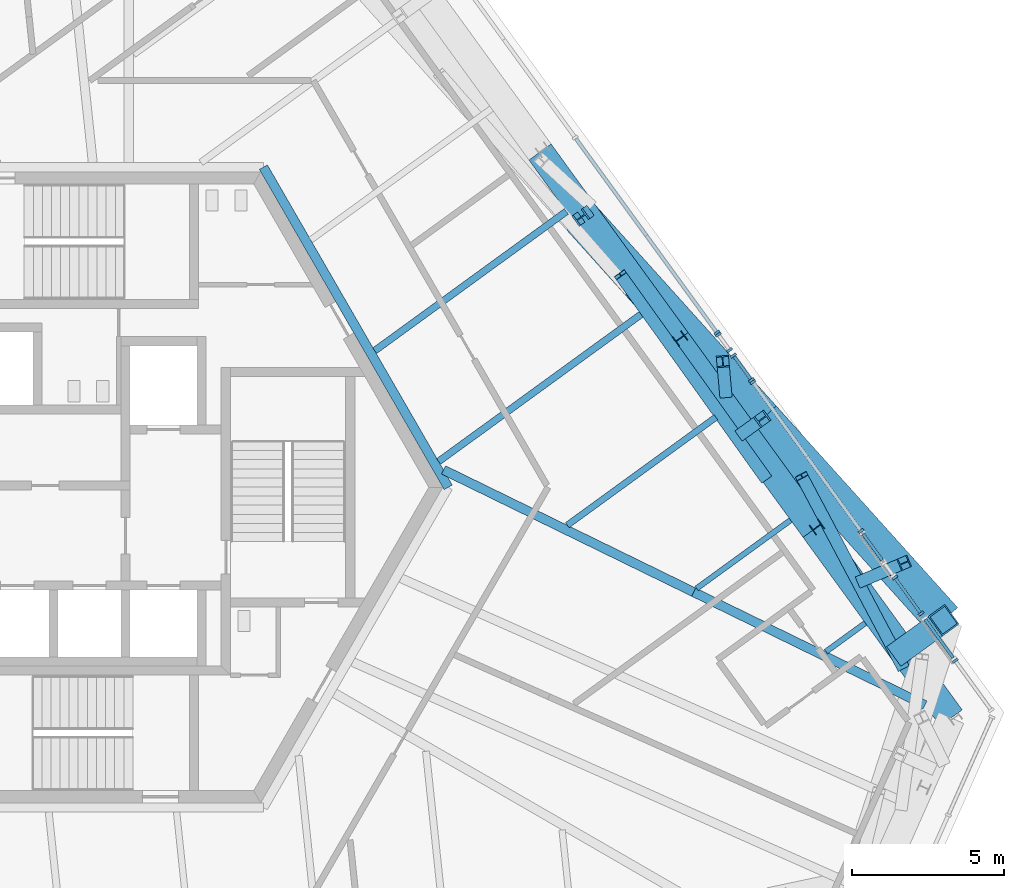
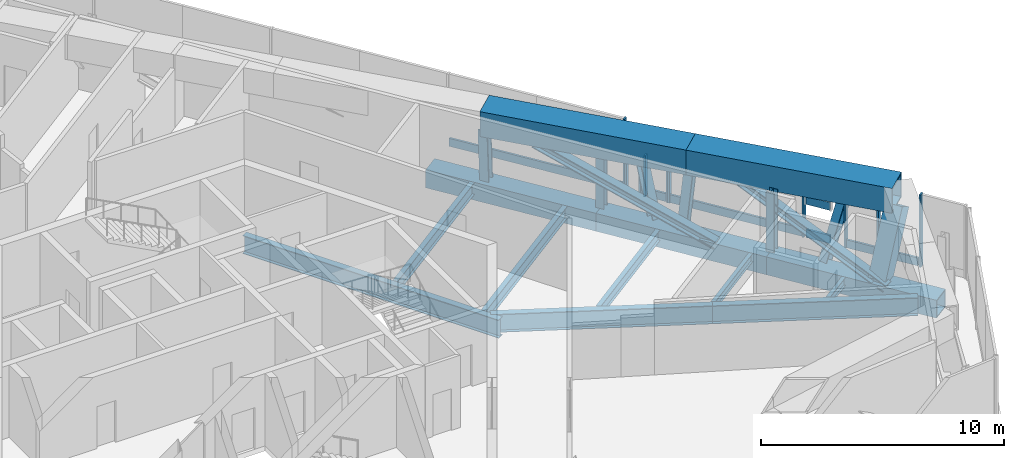
# One storey, part 5 of 23: 31 members, 8 beams, 9 elements without a shape of their own.
"""IFC4 building model written with IfcOpenShell, lengths in metres."""

from ifc_helpers import new_model, si_unit, direction, frame, origin, origin_2d, place, context, subcontext, project, spatial, rectangle, hollow_rectangle, i_section, extrude, source, transform, mapped, material, material_profile, profile_set, type_object, element, aggregate, save


model = new_model("IFC4")

# Units and contexts
model_context = context("Model", 3, precision=1e-05, world=origin(), true_north=direction((0.0, 1.0)))
body_context = subcontext(model_context, "Body", "Model", "MODEL_VIEW")
ifc_project = project(units=[si_unit("LENGTHUNIT", "METRE"), si_unit("AREAUNIT", "SQUARE_METRE"), si_unit("VOLUMEUNIT", "CUBIC_METRE"), si_unit("PLANEANGLEUNIT", "RADIAN"), si_unit("MASSUNIT", "GRAM", prefix="KILO")], contexts=[model_context])

# Site, building, storey
site_placement = place(None, origin())
site = spatial("IfcSite", under=ifc_project, at=site_placement, CompositionType="ELEMENT")
building_placement = place(site_placement, origin())
building = spatial("IfcBuilding", under=site, at=building_placement, Name="Triune Harvest Tower", CompositionType="ELEMENT")
storey_placement = place(building_placement, frame((0.0, 0.0, 255.699951171875)))
storey = spatial("IfcBuildingStorey", under=building, at=storey_placement, Name="L67", CompositionType="ELEMENT", Elevation=255.699951171875)

# Beams
ifc_material_1 = material(Name="Steel ASTM A992 Gr 50", Category="steel")
ifc_material_profile_1 = material_profile(ifc_material_1, i_section(OverallWidth=0.3046875, OverallDepth=0.914306640625, WebThickness=0.0166015625, FlangeThickness=0.02587890625, at=origin_2d()), Name="W36x160")
ifc_profile_set_1 = profile_set([ifc_material_profile_1], Name="Steel ASTM A992 Gr 50")
beam_type_1 = type_object("IfcBeamType", Name="HG-3 Hip girder W36x160", PredefinedType="BEAM", material=ifc_profile_set_1)
beam_1_placement = place(storey_placement, frame((27.879150390625, -7.173828125, -0.70703125), z_axis=(-0.898517089455, 0.438938537789, 0.0), x_axis=(-0.438938537789, -0.898517089455, 0.0)))
element("IfcBeam", 1, at=beam_1_placement, inside=storey, type_object=beam_type_1, Name="beam/L67/HG1", PredefinedType="BEAM", context=body_context, shape_type="SweptSolid", body=[
    extrude(i_section(OverallWidth=0.3046875, OverallDepth=0.914306640625, WebThickness=0.0166015625, FlangeThickness=0.02587890625, at=origin_2d()), origin(), (0.0, 0.0, 1.0), 8.48095703125),
])
ifc_material_2 = material(Name="Steel ASTM A992 Gr 50", Category="steel")
ifc_material_profile_2 = material_profile(ifc_material_2, i_section(OverallWidth=0.180908203125, OverallDepth=0.41650390625, WebThickness=0.010986328125, FlangeThickness=0.01806640625, at=origin_2d()), Name="W16x57")
ifc_profile_set_2 = profile_set([ifc_material_profile_2], Name="Steel ASTM A992 Gr 50")
beam_type_2 = type_object("IfcBeamType", Name="JT-1 Floor joist W16x57", PredefinedType="JOIST", material=ifc_profile_set_2)
beam_2_placement = place(storey_placement, frame((25.915283203125, -4.470703125, -0.458251953125), z_axis=(-0.808999683231, -0.5878090783, 0.0), x_axis=(0.5878090783, -0.808999683231, 0.0)))
element("IfcBeam", 2, at=beam_2_placement, inside=storey, type_object=beam_type_2, Name="beam/L67/JT1", PredefinedType="JOIST", context=body_context, shape_type="SweptSolid", body=[
    extrude(i_section(OverallWidth=0.180908203125, OverallDepth=0.41650390625, WebThickness=0.010986328125, FlangeThickness=0.01806640625, at=origin_2d()), origin(), (0.0, 0.0, 1.0), 1.6015625),
])

# Curtain wall, member
ifc_material_3 = material(Name="Aluminium bronze anodised", Category="aluminium")
curtain_wall_type = type_object("IfcCurtainWallType", Name="CW-5 Plant louvre wall", PredefinedType="NOTDEFINED", material=ifc_material_3)
curtain_wall_1_placement = place(storey_placement, origin())
curtain_wall_1 = element("IfcCurtainWall", 3, at=curtain_wall_1_placement, inside=storey, type_object=curtain_wall_type, Name="CW-5 B6-F1 L67 run 201")
ifc_material_4 = material(Name="Aluminium bronze anodised", Category="aluminium")
ifc_material_profile_3 = material_profile(ifc_material_4, rectangle(XDim=0.10009765625, YDim=0.39990234375, at=origin_2d()), Name="TR-5 transom 100 x 400")
ifc_profile_set_3 = profile_set([ifc_material_profile_3], Name="Aluminium bronze anodised")
member_type_1 = type_object("IfcMemberType", Name="TR-5 transom 100 x 400", PredefinedType="USERDEFINED", material=ifc_profile_set_3)
member_1_placement = place(storey_placement, frame((27.724853515625, -4.1279296875, 0.199951171875), z_axis=(-0.587774244243, 0.809024992076, 0.0), x_axis=(-0.809024992076, -0.587774244243, 0.0)))
member_1 = element("IfcMember", 4, at=member_1_placement, type_object=member_type_1, Name="CW-5 transom B6-F1 201.1", ObjectType="TRANSOM", PredefinedType="USERDEFINED", context=body_context, shape_type="SweptSolid", body=[
    extrude(rectangle(XDim=0.10009765625, YDim=0.39990234375, at=origin_2d()), origin(), (0.0, 0.0, 1.0), 1.38818359375),
])

curtain_wall_2_placement = place(storey_placement, origin())
curtain_wall_2 = element("IfcCurtainWall", 5, at=curtain_wall_2_placement, inside=storey, type_object=curtain_wall_type, Name="CW-5 B6-F1 L67 run 601")
member_2_placement = place(storey_placement, frame((25.74853515625, -1.407958984375, 0.199951171875), z_axis=(-0.587773710071, 0.809025380164, 0.0), x_axis=(-0.809025380164, -0.587773710071, 0.0)))
member_2 = element("IfcMember", 6, at=member_2_placement, type_object=member_type_1, Name="CW-5 transom B6-F1 601.1", ObjectType="TRANSOM", PredefinedType="USERDEFINED", context=body_context, shape_type="SweptSolid", body=[
    extrude(rectangle(XDim=0.10009765625, YDim=0.39990234375, at=origin_2d()), origin(), (0.0, 0.0, 1.0), 5.98291015625),
])

curtain_wall_3_placement = place(storey_placement, origin())
curtain_wall_3 = element("IfcCurtainWall", 7, at=curtain_wall_3_placement, inside=storey, type_object=curtain_wall_type, Name="CW-5 B6-F1 L67 run 701")
member_3_placement = place(storey_placement, frame((22.1376953125, 3.56201171875, 0.199951171875), z_axis=(-0.587683423106, 0.809090967819, 0.0), x_axis=(-0.809090967819, -0.587683423106, 0.0)))
member_3 = element("IfcMember", 8, at=member_3_placement, type_object=member_type_1, Name="CW-5 transom B6-F1 701.1", ObjectType="TRANSOM", PredefinedType="USERDEFINED", context=body_context, shape_type="SweptSolid", body=[
    extrude(rectangle(XDim=0.10009765625, YDim=0.39990234375, at=origin_2d()), origin(), (0.0, 0.0, 1.0), 0.921875),
])

# Member
ifc_material_5 = material(Name="Steel ASTM A992 Gr 50", Category="steel")
ifc_material_profile_4 = material_profile(ifc_material_5, i_section(OverallWidth=0.411376953125, OverallDepth=0.434326171875, WebThickness=0.035888671875, FlangeThickness=0.057373046875, at=origin_2d()), Name="W14x311")
ifc_profile_set_4 = profile_set([ifc_material_profile_4], Name="Steel ASTM A992 Gr 50")
member_type_2 = type_object("IfcMemberType", Name="TV-1 Belt truss strut W14x311", PredefinedType="STRUT", material=ifc_profile_set_4)
member_4_placement = place(storey_placement, frame((21.907470703125, 1.81103515625, -0.27490234375), z_axis=(0.21820399076, 0.158559244683, 0.962936126824), x_axis=(-0.587845345336, 0.808973330813, 0.0)))
element("IfcMember", 9, at=member_4_placement, inside=storey, type_object=member_type_2, Name="truss/L67/TS2", PredefinedType="STRUT", context=body_context, shape_type="SweptSolid", body=[
    extrude(i_section(OverallWidth=0.411376953125, OverallDepth=0.434326171875, WebThickness=0.035888671875, FlangeThickness=0.057373046875, at=origin_2d()), origin(), (0.0, 0.0, 1.0), 2.803955078125),
])

# Beams
ifc_material_6 = material(Name="Steel ASTM A992 Gr 50", Category="steel")
ifc_material_profile_5 = material_profile(ifc_material_6, i_section(OverallWidth=0.3046875, OverallDepth=0.914306640625, WebThickness=0.0166015625, FlangeThickness=0.02587890625, at=origin_2d()), Name="W36x160")
ifc_profile_set_5 = profile_set([ifc_material_profile_5], Name="Steel ASTM A992 Gr 50")
beam_type_3 = type_object("IfcBeamType", Name="CG-1 Core ring girder W36x160", PredefinedType="BEAM", material=ifc_profile_set_5)
shared_shape_1 = source(origin(), body_context, "Body", "SweptSolid", [
    extrude(i_section(OverallWidth=0.3046875, OverallDepth=0.914306640625, WebThickness=0.0166015625, FlangeThickness=0.02587890625, at=origin_2d()), origin(), (0.0, 0.0, 1.0), 12.176025390625),
])
beam_3_placement = place(storey_placement, frame((12.176025390625, 0.0, -0.70703125), z_axis=(-0.5000099932, 0.866019634131, 0.0), x_axis=(-0.866019634131, -0.5000099932, 0.0)))
element("IfcBeam", 10, at=beam_3_placement, inside=storey, type_object=beam_type_3, Name="beam/L67/CG1", PredefinedType="BEAM", context=body_context, shape_type="MappedRepresentation", body=[
    mapped(shared_shape_1, transform((0.0, 0.0, 0.0), scale=1.0)),
])
shared_shape_2 = source(origin(), body_context, "Body", "SweptSolid", [
    extrude(i_section(OverallWidth=0.3046875, OverallDepth=0.914306640625, WebThickness=0.0166015625, FlangeThickness=0.02587890625, at=origin_2d()), origin(), (0.0, 0.0, 1.0), 9.168212890625),
])
beam_4_placement = place(storey_placement, frame((20.2587890625, -3.451171875, -0.70703125), z_axis=(-0.898521846145, 0.438928800605, 0.0), x_axis=(-0.438928800605, -0.898521846145, 0.0)))
element("IfcBeam", 11, at=beam_4_placement, inside=storey, type_object=beam_type_1, Name="beam/L67/HG2", PredefinedType="BEAM", context=body_context, shape_type="MappedRepresentation", body=[
    mapped(shared_shape_2, transform((0.0, 0.0, 0.0), scale=1.0)),
])
shared_shape_3 = source(origin(), body_context, "Body", "SweptSolid", [
    extrude(i_section(OverallWidth=0.180908203125, OverallDepth=0.41650390625, WebThickness=0.010986328125, FlangeThickness=0.01806640625, at=origin_2d()), origin(), (0.0, 0.0, 1.0), 3.8251953125),
])
beam_5_placement = place(storey_placement, frame((23.453125, -1.08203125, -0.458251953125), z_axis=(-0.809036815213, -0.587757970282, 0.0), x_axis=(0.587757970282, -0.809036815213, 0.0)))
element("IfcBeam", 12, at=beam_5_placement, inside=storey, type_object=beam_type_2, Name="beam/L67/JT2", PredefinedType="JOIST", context=body_context, shape_type="MappedRepresentation", body=[
    mapped(shared_shape_3, transform((0.0, 0.0, 0.0), scale=1.0)),
])
ifc_material_7 = material(Name="Steel ASTM A992 Gr 50", Category="steel")
ifc_material_profile_6 = material_profile(ifc_material_7, i_section(OverallWidth=0.2099609375, OverallDepth=0.535888671875, WebThickness=0.010986328125, FlangeThickness=0.017333984375, at=origin_2d()), Name="W21x68")
ifc_profile_set_6 = profile_set([ifc_material_profile_6], Name="Steel ASTM A992 Gr 50")
beam_type_4 = type_object("IfcBeamType", Name="JT-2 Floor joist W21x68", PredefinedType="JOIST", material=ifc_profile_set_6)
shared_shape_4 = source(origin(), body_context, "Body", "SweptSolid", [
    extrude(i_section(OverallWidth=0.2099609375, OverallDepth=0.535888671875, WebThickness=0.010986328125, FlangeThickness=0.017333984375, at=origin_2d()), origin(), (0.0, 0.0, 1.0), 6.048828125),
])
beam_6_placement = place(storey_placement, frame((20.990966796875, 2.306884765625, -0.51806640625), z_axis=(-0.80899431621, -0.587816464842, 0.0), x_axis=(0.587816464842, -0.80899431621, 0.0)))
element("IfcBeam", 13, at=beam_6_placement, inside=storey, type_object=beam_type_4, Name="beam/L67/JT3", PredefinedType="JOIST", context=body_context, shape_type="MappedRepresentation", body=[
    mapped(shared_shape_4, transform((0.0, 0.0, 0.0), scale=1.0)),
])
ifc_material_8 = material(Name="Steel ASTM A992 Gr 50", Category="steel")
ifc_material_profile_7 = material_profile(ifc_material_8, i_section(OverallWidth=0.22900390625, OverallDepth=0.612060546875, WebThickness=0.011962890625, FlangeThickness=0.01953125, at=origin_2d()), Name="W24x84")
ifc_profile_set_7 = profile_set([ifc_material_profile_7], Name="Steel ASTM A992 Gr 50")
beam_type_5 = type_object("IfcBeamType", Name="JT-3 Floor joist W24x84", PredefinedType="JOIST", material=ifc_profile_set_7)
shared_shape_5 = source(origin(), body_context, "Body", "SweptSolid", [
    extrude(i_section(OverallWidth=0.22900390625, OverallDepth=0.612060546875, WebThickness=0.011962890625, FlangeThickness=0.01953125, at=origin_2d()), origin(), (0.0, 0.0, 1.0), 8.242431640625),
])
beam_7_placement = place(storey_placement, frame((18.52880859375, 5.695556640625, -0.55615234375), z_axis=(-0.809017784098, -0.58778416533, 0.0), x_axis=(0.58778416533, -0.809017784098, 0.0)))
element("IfcBeam", 14, at=beam_7_placement, inside=storey, type_object=beam_type_5, Name="beam/L67/JT4", PredefinedType="JOIST", context=body_context, shape_type="MappedRepresentation", body=[
    mapped(shared_shape_5, transform((0.0, 0.0, 0.0), scale=1.0)),
])
shared_shape_6 = source(origin(), body_context, "Body", "SweptSolid", [
    extrude(i_section(OverallWidth=0.22900390625, OverallDepth=0.612060546875, WebThickness=0.011962890625, FlangeThickness=0.01953125, at=origin_2d()), origin(), (0.0, 0.0, 1.0), 7.802001953125),
])
beam_8_placement = place(storey_placement, frame((16.06689453125, 9.08447265625, -0.55615234375), z_axis=(-0.809017448502, -0.58778462724, 0.0), x_axis=(0.58778462724, -0.809017448502, 0.0)))
element("IfcBeam", 15, at=beam_8_placement, inside=storey, type_object=beam_type_5, Name="beam/L67/JT5", PredefinedType="JOIST", context=body_context, shape_type="MappedRepresentation", body=[
    mapped(shared_shape_6, transform((0.0, 0.0, 0.0), scale=1.0)),
])

# Members
ifc_material_9 = material(Name="Steel ASTM A992 Gr 50", Category="steel")
ifc_material_profile_8 = material_profile(ifc_material_9, i_section(OverallWidth=0.368408203125, OverallDepth=0.355712890625, WebThickness=0.01123046875, FlangeThickness=0.01806640625, at=origin_2d()), Name="W14x90")
ifc_profile_set_8 = profile_set([ifc_material_profile_8], Name="Steel ASTM A992 Gr 50")
member_type_3 = type_object("IfcMemberType", Name="WP-6 Roof edge post W14x90", PredefinedType="POST", material=ifc_profile_set_8)
shared_shape_7 = source(origin(), body_context, "Body", "SweptSolid", [
    extrude(i_section(OverallWidth=0.368408203125, OverallDepth=0.355712890625, WebThickness=0.01123046875, FlangeThickness=0.01806640625, at=origin_2d()), origin(), (0.0, 0.0, 1.0), 2.9755859375),
])
for number, where, z_axis, x_axis, name in (
    (16, (24.32470703125, -1.311767578125, -0.25), (0.0, 0.0, 1.0), (-0.587785252292, 0.809016994375, 0.0), "post/L67/W1"),
    (17, (19.810791015625, 4.90087890625, -0.25), (0.0, 0.0, 1.0), (-0.587785252292, 0.809016994375, 0.0), "post/L67/W2"),
):
    element("IfcMember", number, at=place(storey_placement, frame(where, z_axis=z_axis, x_axis=x_axis)), inside=storey, type_object=member_type_3, Name=name, PredefinedType="POST", context=body_context, shape_type="MappedRepresentation", body=[
        mapped(shared_shape_7, transform((0.0, 0.0, 0.0), scale=1.0)),
    ])
ifc_material_10 = material(Name="Steel ASTM A572 Gr 50", Category="steel")
ifc_material_profile_9 = material_profile(ifc_material_10, hollow_rectangle(XDim=0.89990234375, YDim=0.89990234375, WallThickness=0.050048828125, at=origin_2d()), Name="Box 900x900x50")
ifc_profile_set_9 = profile_set([ifc_material_profile_9], Name="Steel ASTM A572 Gr 50")
member_type_4 = type_object("IfcMemberType", Name="TC-2 Belt truss chord Box 900x900x50", PredefinedType="CHORD", material=ifc_profile_set_9)
shared_shape_8 = source(origin(), body_context, "Body", "SweptSolid", [
    extrude(hollow_rectangle(XDim=0.89990234375, YDim=0.89990234375, WallThickness=0.050048828125, at=origin_2d()), origin(), (0.0, 0.0, 1.0), 7.679443359375),
])
for number, where, z_axis, x_axis, name in (
    (18, (28.741455078125, -7.59521484375, -0.699951171875), (-0.58778412343, 0.809017814541, 0.0), (-0.809017814541, -0.58778412343, 0.0), "truss/L67/TCB1"),
    (19, (24.2275390625, -1.38232421875, -0.699951171875), (-0.58778412343, 0.809017814541, 0.0), (-0.809017814541, -0.58778412343, 0.0), "truss/L67/TCB2"),
    (20, (19.713623046875, 4.83056640625, -0.699951171875), (-0.587799241229, 0.809006830633, 0.0), (-0.809006830633, -0.587799241229, 0.0), "truss/L67/TCB3"),
):
    element("IfcMember", number, at=place(storey_placement, frame(where, z_axis=z_axis, x_axis=x_axis)), inside=storey, type_object=member_type_4, Name=name, PredefinedType="CHORD", context=body_context, shape_type="MappedRepresentation", body=[
        mapped(shared_shape_8, transform((0.0, 0.0, 0.0), scale=1.0)),
    ])
ifc_material_11 = material(Name="Steel ASTM A572 Gr 50", Category="steel")
ifc_material_profile_10 = material_profile(ifc_material_11, hollow_rectangle(XDim=1.25, YDim=1.25, WallThickness=0.070068359375, at=origin_2d()), Name="Box 1250x1250x70")
ifc_profile_set_10 = profile_set([ifc_material_profile_10], Name="Steel ASTM A572 Gr 50")
member_type_5 = type_object("IfcMemberType", Name="TC-1 Belt truss chord Box 1250x1250x70", PredefinedType="CHORD", material=ifc_profile_set_10)
shared_shape_9 = source(origin(), body_context, "Body", "SweptSolid", [
    extrude(hollow_rectangle(XDim=1.25, YDim=1.25, WallThickness=0.070068359375, at=origin_2d()), origin(), (0.0, 0.0, 1.0), 8.927978515625),
])
for number, where, z_axis, x_axis, name in (
    (21, (28.4931640625, -4.379150390625, 3.01513671875), (-0.669124862885, 0.743149996884, 0.0), (-0.743149996884, -0.669124862885, 0.0), "truss/L67/TCT1"),
    (22, (22.519287109375, 2.255615234375, 3.01513671875), (-0.669139964799, 0.743136398994, 0.0), (-0.743136398994, -0.669139964799, 0.0), "truss/L67/TCT2"),
):
    element("IfcMember", number, at=place(storey_placement, frame(where, z_axis=z_axis, x_axis=x_axis)), inside=storey, type_object=member_type_5, Name=name, PredefinedType="CHORD", context=body_context, shape_type="MappedRepresentation", body=[
        mapped(shared_shape_9, transform((0.0, 0.0, 0.0), scale=1.0)),
    ])
ifc_material_12 = material(Name="Steel ASTM A572 Gr 50", Category="steel")
ifc_material_profile_11 = material_profile(ifc_material_12, hollow_rectangle(XDim=0.800048828125, YDim=0.800048828125, WallThickness=0.050048828125, at=origin_2d()), Name="Box 800x800x50")
ifc_profile_set_11 = profile_set([ifc_material_profile_11], Name="Steel ASTM A572 Gr 50")
member_type_6 = type_object("IfcMemberType", Name="TS-2 Belt truss raked strut Box 800x800x50", PredefinedType="STRUT", material=ifc_profile_set_11)
shared_shape_10 = source(origin(), body_context, "Body", "SweptSolid", [
    extrude(hollow_rectangle(XDim=0.800048828125, YDim=0.800048828125, WallThickness=0.050048828125, at=origin_2d()), origin(), (0.0, 0.0, 1.0), 3.18505859375),
])
member_5_placement = place(storey_placement, frame((27.12646484375, -5.372314453125, -0.27490234375), z_axis=(0.429110160707, 0.311829248617, 0.84771869726), x_axis=(-0.587862327429, 0.8089609904, 0.0)))
element("IfcMember", 23, at=member_5_placement, inside=storey, type_object=member_type_6, Name="truss/L67/TS1", PredefinedType="STRUT", context=body_context, shape_type="MappedRepresentation", body=[
    mapped(shared_shape_10, transform((0.0, 0.0, 0.0), scale=1.0)),
])
shared_shape_11 = source(origin(), body_context, "Body", "SweptSolid", [
    extrude(i_section(OverallWidth=0.411376953125, OverallDepth=0.434326171875, WebThickness=0.035888671875, FlangeThickness=0.057373046875, at=origin_2d()), origin(), (0.0, 0.0, 1.0), 2.705810546875),
])
member_6_placement = place(storey_placement, frame((16.6884765625, 8.994384765625, -0.27490234375), z_axis=(-0.052965155184, -0.038438085364, 0.997856305251), x_axis=(0.587351592476, -0.809331889163, 0.0)))
element("IfcMember", 24, at=member_6_placement, inside=storey, type_object=member_type_2, Name="truss/L67/TS3", PredefinedType="STRUT", context=body_context, shape_type="MappedRepresentation", body=[
    mapped(shared_shape_11, transform((0.0, 0.0, 0.0), scale=1.0)),
])
ifc_material_13 = material(Name="Steel ASTM A992 Gr 50", Category="steel")
ifc_material_profile_12 = material_profile(ifc_material_13, i_section(OverallWidth=0.40380859375, OverallDepth=0.406494140625, WebThickness=0.027099609375, FlangeThickness=0.043701171875, at=origin_2d()), Name="W14x233")
ifc_profile_set_12 = profile_set([ifc_material_profile_12], Name="Steel ASTM A992 Gr 50")
member_type_7 = type_object("IfcMemberType", Name="TD-3 Belt truss diagonal W14x233", PredefinedType="BRACE", material=ifc_profile_set_12)
shared_shape_12 = source(origin(), body_context, "Body", "SweptSolid", [
    extrude(i_section(OverallWidth=0.40380859375, OverallDepth=0.406494140625, WebThickness=0.027099609375, FlangeThickness=0.043701171875, at=origin_2d()), origin(), (0.0, 0.0, 1.0), 7.615966796875),
])
member_7_placement = place(storey_placement, frame((27.14453125, -5.90771484375, -0.324951171875), z_axis=(-0.436772505595, 0.823921243214, 0.361086642423), x_axis=(-0.883531078482, -0.468372536936, 0.0)))
element("IfcMember", 25, at=member_7_placement, inside=storey, type_object=member_type_7, Name="truss/L67/TD1", PredefinedType="BRACE", context=body_context, shape_type="MappedRepresentation", body=[
    mapped(shared_shape_12, transform((0.0, 0.0, 0.0), scale=1.0)),
])
shared_shape_13 = source(origin(), body_context, "Body", "SweptSolid", [
    extrude(i_section(OverallWidth=0.40380859375, OverallDepth=0.406494140625, WebThickness=0.027099609375, FlangeThickness=0.043701171875, at=origin_2d()), origin(), (0.0, 0.0, 1.0), 3.12646484375),
])
member_8_placement = place(storey_placement, frame((25.824462890625, -3.06982421875, -0.324951171875), z_axis=(0.438162319811, 0.185229196684, 0.879604414606), x_axis=(-0.389377572892, 0.921078229972, 0.0)))
element("IfcMember", 26, at=member_8_placement, inside=storey, type_object=member_type_7, Name="truss/L67/TD2", PredefinedType="BRACE", context=body_context, shape_type="MappedRepresentation", body=[
    mapped(shared_shape_13, transform((0.0, 0.0, 0.0), scale=1.0)),
])
shared_shape_14 = source(origin(), body_context, "Body", "SweptSolid", [
    extrude(i_section(OverallWidth=0.40380859375, OverallDepth=0.406494140625, WebThickness=0.027099609375, FlangeThickness=0.043701171875, at=origin_2d()), origin(), (0.0, 0.0, 1.0), 8.6787109375),
])
member_9_placement = place(storey_placement, frame((22.630615234375, 0.30517578125, -0.324951171875), z_axis=(-0.551532126303, 0.771627370421, 0.316865136727), x_axis=(-0.813549062903, -0.581496278792, 0.0)))
element("IfcMember", 27, at=member_9_placement, inside=storey, type_object=member_type_7, Name="truss/L67/TD3", PredefinedType="BRACE", context=body_context, shape_type="MappedRepresentation", body=[
    mapped(shared_shape_14, transform((0.0, 0.0, 0.0), scale=1.0)),
])
shared_shape_15 = source(origin(), body_context, "Body", "SweptSolid", [
    extrude(i_section(OverallWidth=0.40380859375, OverallDepth=0.406494140625, WebThickness=0.027099609375, FlangeThickness=0.043701171875, at=origin_2d()), origin(), (0.0, 0.0, 1.0), 2.927978515625),
])
member_10_placement = place(storey_placement, frame((21.310546875, 3.14306640625, -0.324951171875), z_axis=(-0.030852129291, 0.341874946198, 0.93923887658), x_axis=(-0.99595272298, -0.089878660366, 0.0)))
element("IfcMember", 28, at=member_10_placement, inside=storey, type_object=member_type_7, Name="truss/L67/TD4", PredefinedType="BRACE", context=body_context, shape_type="MappedRepresentation", body=[
    mapped(shared_shape_15, transform((0.0, 0.0, 0.0), scale=1.0)),
])

# Curtain wall, member
curtain_wall_4_placement = place(storey_placement, origin())
curtain_wall_4 = element("IfcCurtainWall", 29, at=curtain_wall_4_placement, inside=storey, type_object=curtain_wall_type, Name="CW-5 B6-F1 L67 run 1")
ifc_material_14 = material(Name="Aluminium bronze anodised", Category="aluminium")
ifc_material_profile_13 = material_profile(ifc_material_14, rectangle(XDim=0.199951171875, YDim=0.080078125, at=origin_2d()), Name="MU-5 mullion 80 x 200")
ifc_profile_set_13 = profile_set([ifc_material_profile_13], Name="Aluminium bronze anodised")
member_type_8 = type_object("IfcMemberType", Name="MU-5 mullion 80 x 200", PredefinedType="MULLION", material=ifc_profile_set_13)
shared_shape_16 = source(origin(), body_context, "Body", "SweptSolid", [
    extrude(rectangle(XDim=0.199951171875, YDim=0.080078125, at=origin_2d()), origin(), (0.0, 0.0, 1.0), 3.64013671875),
])
member_11_placement = place(storey_placement, frame((28.876220703125, -5.71240234375, 0.0), z_axis=(0.0, 0.0, 1.0), x_axis=(-0.809028987509, -0.587768744805, 0.0)))
member_11 = element("IfcMember", 30, at=member_11_placement, type_object=member_type_8, Name="CW-5 mullion B6-F1 1.2", PredefinedType="MULLION", context=body_context, shape_type="MappedRepresentation", body=[
    mapped(shared_shape_16, transform((0.0, 0.0, 0.0), scale=1.0)),
])
aggregate(curtain_wall_4, [member_11])

curtain_wall_5_placement = place(storey_placement, origin())
curtain_wall_5 = element("IfcCurtainWall", 31, at=curtain_wall_5_placement, inside=storey, type_object=curtain_wall_type, Name="CW-5 B6-F1 L67 run 901")
member_12_placement = place(storey_placement, frame((21.024658203125, 5.093994140625, 0.0), z_axis=(0.0, 0.0, 1.0), x_axis=(-0.809016362454, -0.587786122057, 0.0)))
member_12 = element("IfcMember", 32, at=member_12_placement, type_object=member_type_8, Name="CW-5 mullion B6-F1 901.1", PredefinedType="MULLION", context=body_context, shape_type="MappedRepresentation", body=[
    mapped(shared_shape_16, transform((0.0, 0.0, 0.0), scale=1.0)),
])

# Member
shared_shape_17 = source(origin(), body_context, "Body", "SweptSolid", [
    extrude(rectangle(XDim=0.199951171875, YDim=0.080078125, at=origin_2d()), origin(), (0.0, 0.0, 1.0), 2.330078125),
])
member_13_placement = place(storey_placement, frame((27.748291015625, -4.16015625, 0.0), z_axis=(0.0, 0.0, 1.0), x_axis=(-0.80902370994, -0.587776008999, 0.0)))
member_13 = element("IfcMember", 33, at=member_13_placement, type_object=member_type_8, Name="CW-5 mullion B6-F1 201.1", PredefinedType="MULLION", context=body_context, shape_type="MappedRepresentation", body=[
    mapped(shared_shape_17, transform((0.0, 0.0, 0.0), scale=1.0)),
])

member_14_placement = place(storey_placement, frame((26.885498046875, -2.97265625, 0.0), z_axis=(0.0, 0.0, 1.0), x_axis=(-0.80902370994, -0.587776008999, 0.0)))
member_14 = element("IfcMember", 34, at=member_14_placement, type_object=member_type_8, Name="CW-5 mullion B6-F1 201.2", PredefinedType="MULLION", context=body_context, shape_type="MappedRepresentation", body=[
    mapped(shared_shape_17, transform((0.0, 0.0, 0.0), scale=1.0)),
])

aggregate(curtain_wall_1, [member_13, member_14, member_1])

member_15_placement = place(storey_placement, frame((25.77197265625, -1.440185546875, 0.0), z_axis=(0.0, 0.0, 1.0), x_axis=(-0.809014753809, -0.587788336155, 0.0)))
member_15 = element("IfcMember", 35, at=member_15_placement, type_object=member_type_8, Name="CW-5 mullion B6-F1 601.1", PredefinedType="MULLION", context=body_context, shape_type="MappedRepresentation", body=[
    mapped(shared_shape_17, transform((0.0, 0.0, 0.0), scale=1.0)),
])

member_16_placement = place(storey_placement, frame((22.208251953125, 3.46484375, 0.0), z_axis=(0.0, 0.0, 1.0), x_axis=(-0.809014753809, -0.587788336155, 0.0)))
member_16 = element("IfcMember", 36, at=member_16_placement, type_object=member_type_8, Name="CW-5 mullion B6-F1 601.3", PredefinedType="MULLION", context=body_context, shape_type="MappedRepresentation", body=[
    mapped(shared_shape_17, transform((0.0, 0.0, 0.0), scale=1.0)),
])

aggregate(curtain_wall_2, [member_15, member_16, member_2])

# Curtain wall, members
curtain_wall_6_placement = place(storey_placement, origin())
curtain_wall_6 = element("IfcCurtainWall", 37, at=curtain_wall_6_placement, inside=storey, type_object=curtain_wall_type, Name="CW-5 B6-F1 L67 run 801")
member_17_placement = place(storey_placement, frame((21.442626953125, 4.518798828125, 0.0), z_axis=(0.0, 0.0, 1.0), x_axis=(-0.809021851483, -0.587778566998, 0.0)))
member_17 = element("IfcMember", 38, at=member_17_placement, type_object=member_type_8, Name="CW-5 mullion B6-F1 801.1", PredefinedType="MULLION", context=body_context, shape_type="MappedRepresentation", body=[
    mapped(shared_shape_17, transform((0.0, 0.0, 0.0), scale=1.0)),
])
member_18_placement = place(storey_placement, frame((21.07177734375, 5.029296875, 0.0), z_axis=(0.0, 0.0, 1.0), x_axis=(-0.809021851483, -0.587778566998, 0.0)))
member_18 = element("IfcMember", 39, at=member_18_placement, type_object=member_type_8, Name="CW-5 mullion B6-F1 801.2", PredefinedType="MULLION", context=body_context, shape_type="MappedRepresentation", body=[
    mapped(shared_shape_17, transform((0.0, 0.0, 0.0), scale=1.0)),
])
aggregate(curtain_wall_6, [member_17, member_18])

# Curtain wall, member
curtain_wall_7_placement = place(storey_placement, origin())
curtain_wall_7 = element("IfcCurtainWall", 40, at=curtain_wall_7_placement, inside=storey, type_object=curtain_wall_type, Name="CW-5 B6-F1 L67 run 101")
shared_shape_18 = source(origin(), body_context, "Body", "SweptSolid", [
    extrude(rectangle(XDim=0.10009765625, YDim=0.39990234375, at=origin_2d()), origin(), (0.0, 0.0, 1.0), 1.563720703125),
])
member_19_placement = place(storey_placement, frame((28.8056640625, -5.615478515625, 0.199951171875), z_axis=(-0.587791037795, 0.80901279093, 0.0), x_axis=(-0.80901279093, -0.587791037795, 0.0)))
member_19 = element("IfcMember", 41, at=member_19_placement, type_object=member_type_1, Name="CW-5 transom B6-F1 101.1", ObjectType="TRANSOM", PredefinedType="USERDEFINED", context=body_context, shape_type="MappedRepresentation", body=[
    mapped(shared_shape_18, transform((0.0, 0.0, 0.0), scale=1.0)),
])
aggregate(curtain_wall_7, [member_19])

curtain_wall_8_placement = place(storey_placement, origin())
curtain_wall_8 = element("IfcCurtainWall", 42, at=curtain_wall_8_placement, inside=storey, type_object=curtain_wall_type, Name="CW-5 B6-F1 L67 run 401")
shared_shape_19 = source(origin(), body_context, "Body", "SweptSolid", [
    extrude(rectangle(XDim=0.10009765625, YDim=0.39990234375, at=origin_2d()), origin(), (0.0, 0.0, 1.0), 1.06982421875),
])
member_20_placement = place(storey_placement, frame((26.471435546875, -2.40283203125, 0.199951171875), z_axis=(-0.587846000873, 0.808972854463, 0.0), x_axis=(-0.808972854463, -0.587846000873, 0.0)))
member_20 = element("IfcMember", 43, at=member_20_placement, type_object=member_type_1, Name="CW-5 transom B6-F1 401.1", ObjectType="TRANSOM", PredefinedType="USERDEFINED", context=body_context, shape_type="MappedRepresentation", body=[
    mapped(shared_shape_19, transform((0.0, 0.0, 0.0), scale=1.0)),
])
aggregate(curtain_wall_8, [member_20])

curtain_wall_9_placement = place(storey_placement, origin())
curtain_wall_9 = element("IfcCurtainWall", 44, at=curtain_wall_9_placement, inside=storey, type_object=curtain_wall_type, Name="CW-5 B6-F1 L67 run 501")
member_21_placement = place(storey_placement, frame((26.471435546875, -2.40283203125, 1.8642578125), z_axis=(-0.587846000873, 0.808972854463, 0.0), x_axis=(-0.808972854463, -0.587846000873, 0.0)))
member_21 = element("IfcMember", 45, at=member_21_placement, type_object=member_type_1, Name="CW-5 transom B6-F1 501.1", ObjectType="TRANSOM", PredefinedType="USERDEFINED", context=body_context, shape_type="MappedRepresentation", body=[
    mapped(shared_shape_19, transform((0.0, 0.0, 0.0), scale=1.0)),
])
aggregate(curtain_wall_9, [member_21])

# Member
shared_shape_20 = source(origin(), body_context, "Body", "SweptSolid", [
    extrude(rectangle(XDim=0.199951171875, YDim=0.080078125, at=origin_2d()), origin(), (0.0, 0.0, 1.0), 2.06005859375),
])
member_22_placement = place(storey_placement, frame((22.161376953125, 3.529541015625, 0.0), z_axis=(0.0, 0.0, 1.0), x_axis=(-0.809035750741, -0.587759435503, 0.0)))
member_22 = element("IfcMember", 46, at=member_22_placement, type_object=member_type_8, Name="CW-5 mullion B6-F1 701.1", PredefinedType="MULLION", context=body_context, shape_type="MappedRepresentation", body=[
    mapped(shared_shape_20, transform((0.0, 0.0, 0.0), scale=1.0)),
])

member_23_placement = place(storey_placement, frame((21.572509765625, 4.340087890625, 0.0), z_axis=(0.0, 0.0, 1.0), x_axis=(-0.809035750741, -0.587759435503, 0.0)))
member_23 = element("IfcMember", 47, at=member_23_placement, type_object=member_type_8, Name="CW-5 mullion B6-F1 701.2", PredefinedType="MULLION", context=body_context, shape_type="MappedRepresentation", body=[
    mapped(shared_shape_20, transform((0.0, 0.0, 0.0), scale=1.0)),
])

aggregate(curtain_wall_3, [member_22, member_23, member_3])

shared_shape_21 = source(origin(), body_context, "Body", "SweptSolid", [
    extrude(rectangle(XDim=0.10009765625, YDim=0.39990234375, at=origin_2d()), origin(), (0.0, 0.0, 1.0), 7.861572265625),
])
member_24_placement = place(storey_placement, frame((21.001220703125, 5.12646484375, 0.199951171875), z_axis=(-0.587802337861, 0.809004580707, 0.0), x_axis=(-0.809004580707, -0.587802337861, 0.0)))
member_24 = element("IfcMember", 48, at=member_24_placement, type_object=member_type_1, Name="CW-5 transom B6-F1 901.1", ObjectType="TRANSOM", PredefinedType="USERDEFINED", context=body_context, shape_type="MappedRepresentation", body=[
    mapped(shared_shape_21, transform((0.0, 0.0, 0.0), scale=1.0)),
])

aggregate(curtain_wall_5, [member_12, member_24])

save(model, "model.ifc")
